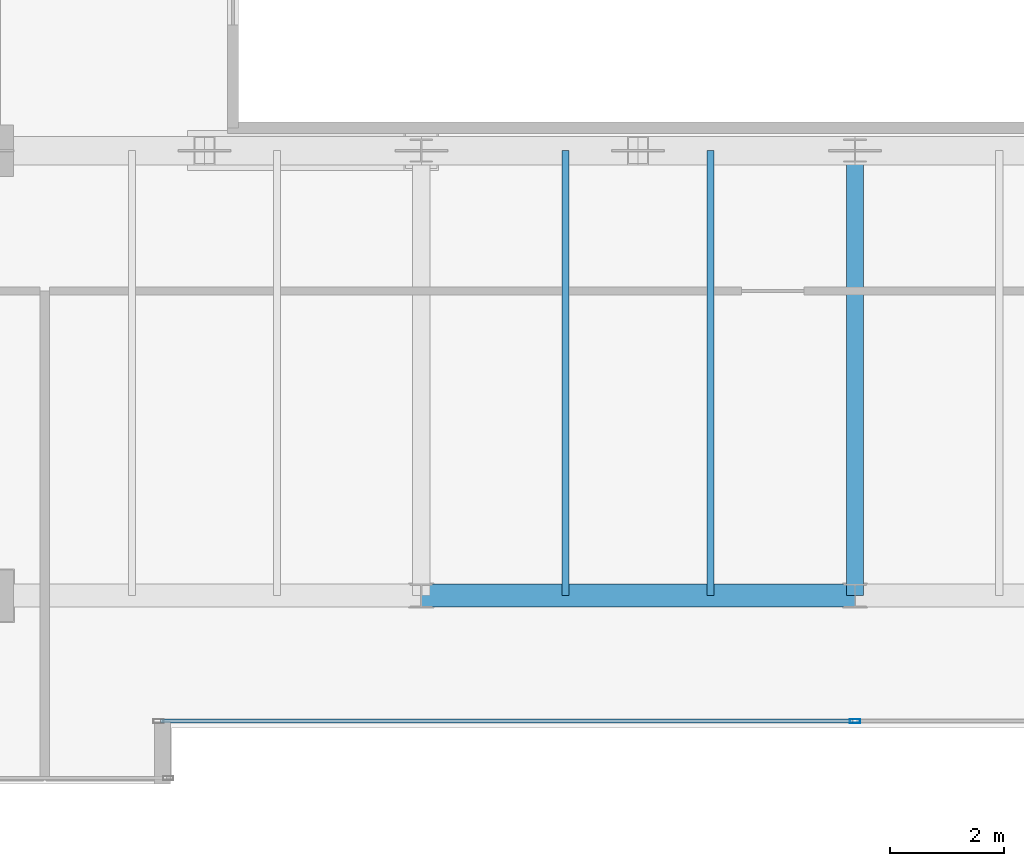
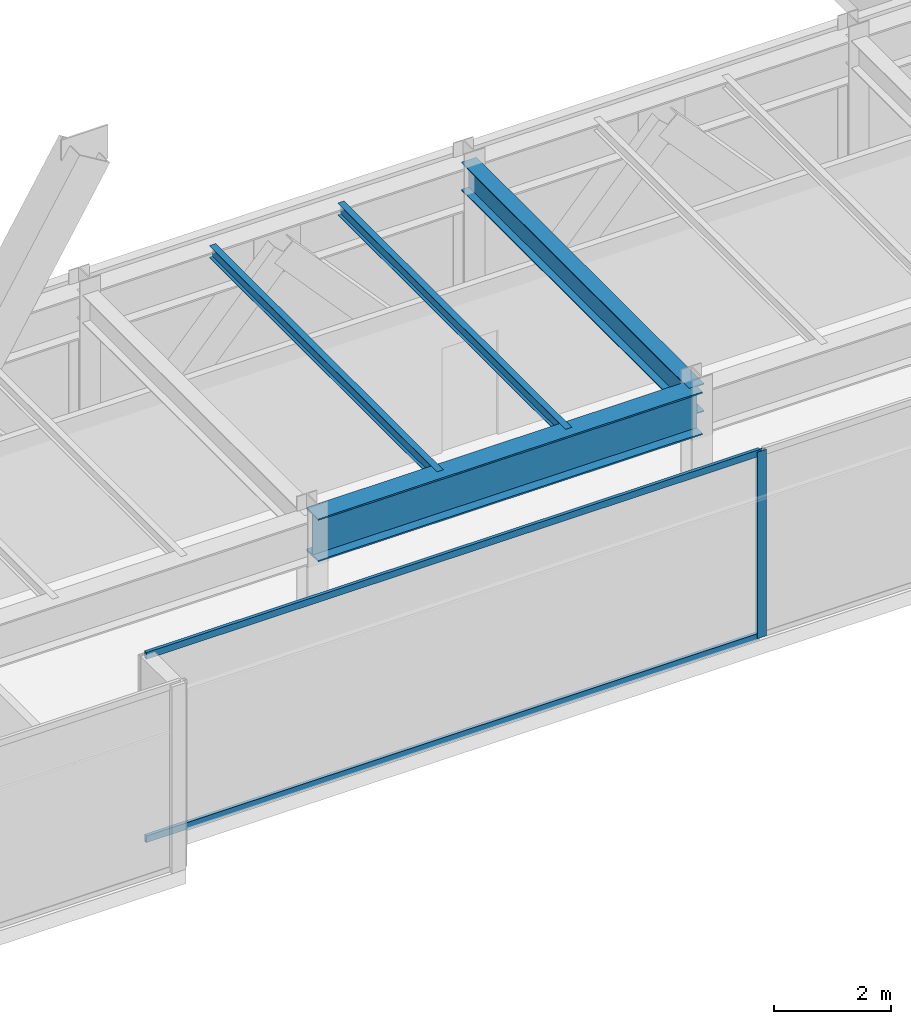
# One storey, part 7 of 32: 4 beams, 3 members, 1 element without a shape of its own.
"""IFC4 building model written with IfcOpenShell, lengths in metres."""

from ifc_helpers import new_model, si_unit, direction, frame, origin, origin_2d, place, context, subcontext, project, spatial, hollow_rectangle, i_section, extrude, source, transform, mapped, material, layer, layer_set, material_profile, profile_set, type_object, type_shapes, element, aggregate, save


model = new_model("IFC4")

# Units and contexts
model_context = context("Model", 3, precision=1e-05, world=origin(), true_north=direction((0.0, 1.0)))
body_context = subcontext(model_context, "Body", "Model", "MODEL_VIEW")
ifc_project = project(units=[si_unit("LENGTHUNIT", "METRE"), si_unit("AREAUNIT", "SQUARE_METRE"), si_unit("VOLUMEUNIT", "CUBIC_METRE"), si_unit("PLANEANGLEUNIT", "RADIAN"), si_unit("MASSUNIT", "GRAM", prefix="KILO")], contexts=[model_context])

# Site, building, storey
site_placement = place(None, origin())
site = spatial("IfcSite", under=ifc_project, at=site_placement, CompositionType="ELEMENT")
building_placement = place(site_placement, origin())
building = spatial("IfcBuilding", under=site, at=building_placement, Name="Haelvirn Gate Laboratories", CompositionType="ELEMENT")
storey_placement = place(building_placement, frame((0.0, 0.0, 306.0)))
storey = spatial("IfcBuildingStorey", under=building, at=storey_placement, Name="L73", CompositionType="ELEMENT", Elevation=306.0)

# Beams
ifc_material_1 = material(Name="Steel SM420", Category="steel")
ifc_material_profile_1 = material_profile(ifc_material_1, i_section(OverallWidth=0.39990234375, OverallDepth=0.89990234375, WebThickness=0.01904296875, FlangeThickness=0.031982421875, at=origin_2d()), Name="H-900x400x19x32")
ifc_profile_set_1 = profile_set([ifc_material_profile_1], Name="Steel SM420")
beam_type_1 = type_object("IfcBeamType", Name="BM-TG-900", PredefinedType="BEAM", material=ifc_profile_set_1)
shared_shape_1 = source(origin(), body_context, "Body", "SweptSolid", [
    extrude(i_section(OverallWidth=0.39990234375, OverallDepth=0.89990234375, WebThickness=0.01904296875, FlangeThickness=0.031982421875, at=origin_2d()), origin(), (0.0, 0.0, 1.0), 7.599853515625),
])
type_shapes(beam_type_1, [shared_shape_1])
beam_1_placement = place(storey_placement, frame((29.800048828125, 7.0, 3.449951171875), z_axis=(1.0, 0.0, 0.0), x_axis=(0.0, 1.0, 0.0)))
element("IfcBeam", 1, at=beam_1_placement, inside=storey, type_object=beam_type_1, Name="L73 Primary Girder Y7.0 (29.8-37.4)", PredefinedType="BEAM", context=body_context, shape_type="MappedRepresentation", body=[
    mapped(shared_shape_1, transform((0.0, 0.0, 0.0), scale=1.0)),
])
ifc_material_2 = material(Name="Steel SM355", Category="steel")
ifc_material_profile_2 = material_profile(ifc_material_2, i_section(OverallWidth=0.300048828125, OverallDepth=0.587890625, WebThickness=0.011962890625, FlangeThickness=0.02001953125, at=origin_2d()), Name="H-588x300x12x20")
ifc_profile_set_2 = profile_set([ifc_material_profile_2], Name="Steel SM355")
beam_type_2 = type_object("IfcBeamType", Name="BM-G-588", PredefinedType="BEAM", material=ifc_profile_set_2)
shared_shape_2 = source(origin(), body_context, "Body", "SweptSolid", [
    extrude(i_section(OverallWidth=0.300048828125, OverallDepth=0.587890625, WebThickness=0.011962890625, FlangeThickness=0.02001953125, at=origin_2d()), origin(), (0.0, 0.0, 1.0), 7.800048828125),
])
type_shapes(beam_type_2, [shared_shape_2])
beam_2_placement = place(storey_placement, frame((37.39990234375, 7.0, 3.60595703125), z_axis=(0.0, 1.0, 0.0), x_axis=(-1.0, 0.0, 0.0)))
element("IfcBeam", 2, at=beam_2_placement, inside=storey, type_object=beam_type_2, Name="L73 Frame Girder X37.4 (7.0-14.8)", PredefinedType="BEAM", context=body_context, shape_type="MappedRepresentation", body=[
    mapped(shared_shape_2, transform((0.0, 0.0, 0.0), scale=1.0)),
])
ifc_material_profile_3 = material_profile(ifc_material_2, i_section(OverallWidth=0.125, OverallDepth=0.25, WebThickness=0.006103515625, FlangeThickness=0.009033203125, at=origin_2d()), Name="H-250x125x6x9")
ifc_profile_set_3 = profile_set([ifc_material_profile_3], Name="Steel SM355")
beam_type_3 = type_object("IfcBeamType", Name="BM-J-250", PredefinedType="JOIST", material=ifc_profile_set_3)
shared_shape_3 = source(origin(), body_context, "Body", "SweptSolid", [
    extrude(i_section(OverallWidth=0.125, OverallDepth=0.25, WebThickness=0.006103515625, FlangeThickness=0.009033203125, at=origin_2d()), origin(), (0.0, 0.0, 1.0), 7.800048828125),
])
type_shapes(beam_type_3, [shared_shape_3])
for number, where, z_axis, x_axis, name in (
    (3, (32.330078125, 7.0, 3.77490234375), (0.0, 1.0, 0.0), (-1.0, 0.0, 0.0), "L73 Composite Lab Joist South X32.33"),
    (4, (34.8701171875, 7.0, 3.77490234375), (0.0, 1.0, 0.0), (-1.0, 0.0, 0.0), "L73 Composite Lab Joist South X34.87"),
):
    element("IfcBeam", number, at=place(storey_placement, frame(where, z_axis=z_axis, x_axis=x_axis)), inside=storey, type_object=beam_type_3, Name=name, PredefinedType="JOIST", context=body_context, shape_type="MappedRepresentation", body=[
        mapped(shared_shape_3, transform((0.0, 0.0, 0.0), scale=1.0)),
    ])

# Curtain wall, members
ifc_material_3 = material(Name="Anodised bronze unitised aluminium & triple low-E glass", Category="aluminium")
ifc_layer = layer(ifc_material_3, 0.176025390625, Name="CW-SYS-4")
ifc_layer_set = layer_set([ifc_layer], Name="Anodised bronze unitised aluminium & triple low-E glass")
curtain_wall_type = type_object("IfcCurtainWallType", Name="CW-SYS-4", PredefinedType="NOTDEFINED", material=ifc_layer_set)
curtain_wall_placement = place(storey_placement, origin())
curtain_wall = element("IfcCurtainWall", 5, at=curtain_wall_placement, inside=storey, type_object=curtain_wall_type, Name="L73 Unitised Curtain Wall CW-L73-P0-E02-1", PredefinedType="NOTDEFINED")
ifc_material_4 = material(Name="Extruded aluminium 6063-T6 (anodised bronze)", Category="aluminium")
ifc_material_profile_4 = material_profile(ifc_material_4, hollow_rectangle(XDim=0.06494140625, YDim=0.139892578125, WallThickness=0.00390625, at=origin_2d()), Name="CWT-140x65x4")
ifc_profile_set_4 = profile_set([ifc_material_profile_4], Name="Extruded aluminium 6063-T6 (anodised bronze)")
member_type_1 = type_object("IfcMemberType", Name="CWT-T140", PredefinedType="USERDEFINED", material=ifc_profile_set_4)
shared_shape_4 = source(origin(), body_context, "Body", "SweptSolid", [
    extrude(hollow_rectangle(XDim=0.06494140625, YDim=0.139892578125, WallThickness=0.00390625, at=origin_2d()), origin(), (0.0, 0.0, 1.0), 12.135009765625),
])
type_shapes(member_type_1, [shared_shape_4])
member_1_placement = place(storey_placement, frame((25.22998046875, 4.800048828125, 0.032470703125), z_axis=(1.0, 0.0, 0.0), x_axis=(0.0, 1.0, 0.0)))
member_1 = element("IfcMember", 6, at=member_1_placement, type_object=member_type_1, Name="CW4 transom 1.1", ObjectType="TRANSOM", PredefinedType="USERDEFINED", context=body_context, shape_type="MappedRepresentation", body=[
    mapped(shared_shape_4, transform((0.0, 0.0, 0.0), scale=1.0)),
])
member_2_placement = place(storey_placement, frame((25.22998046875, 4.800048828125, 3.867431640625), z_axis=(1.0, 0.0, 0.0), x_axis=(0.0, 1.0, 0.0)))
member_2 = element("IfcMember", 7, at=member_2_placement, type_object=member_type_1, Name="CW4 transom 1.2", ObjectType="TRANSOM", PredefinedType="USERDEFINED", context=body_context, shape_type="MappedRepresentation", body=[
    mapped(shared_shape_4, transform((0.0, 0.0, 0.0), scale=1.0)),
])
ifc_material_profile_5 = material_profile(ifc_material_4, hollow_rectangle(XDim=0.070068359375, YDim=0.179931640625, WallThickness=0.0048828125, at=origin_2d()), Name="CWM-180x70x5")
ifc_profile_set_5 = profile_set([ifc_material_profile_5], Name="Extruded aluminium 6063-T6 (anodised bronze)")
member_type_2 = type_object("IfcMemberType", Name="CWM-T180", PredefinedType="MULLION", material=ifc_profile_set_5)
shared_shape_5 = source(origin(), body_context, "Body", "SweptSolid", [
    extrude(hollow_rectangle(XDim=0.070068359375, YDim=0.179931640625, WallThickness=0.0048828125, at=origin_2d()), origin(), (0.0, 0.0, 1.0), 3.89990234375),
])
type_shapes(member_type_2, [shared_shape_5])
member_3_placement = place(storey_placement, frame((37.39990234375, 4.800048828125, 0.0), z_axis=(0.0, 0.0, 1.0), x_axis=(0.0, 1.0, 0.0)))
member_3 = element("IfcMember", 8, at=member_3_placement, type_object=member_type_2, Name="CW4 mullion 2", PredefinedType="MULLION", context=body_context, shape_type="MappedRepresentation", body=[
    mapped(shared_shape_5, transform((0.0, 0.0, 0.0), scale=1.0)),
])
aggregate(curtain_wall, [member_3, member_1, member_2])

save(model, "model.ifc")
